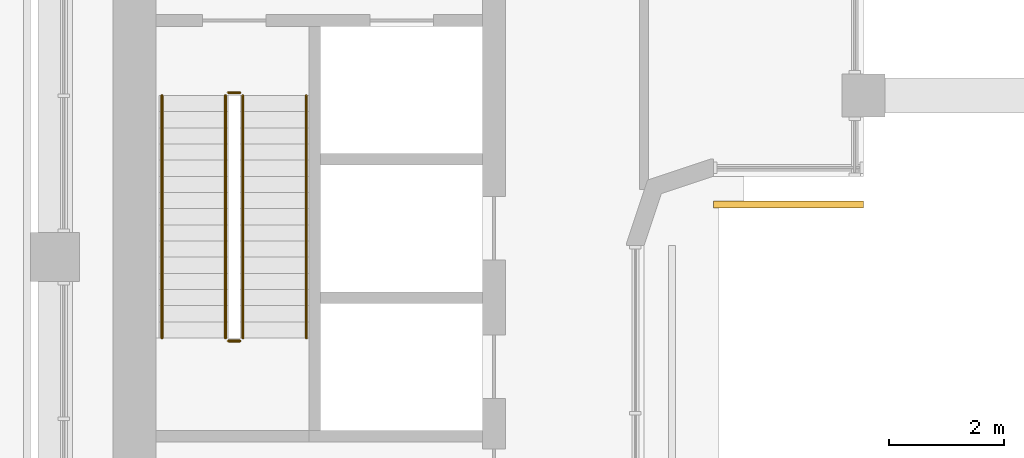
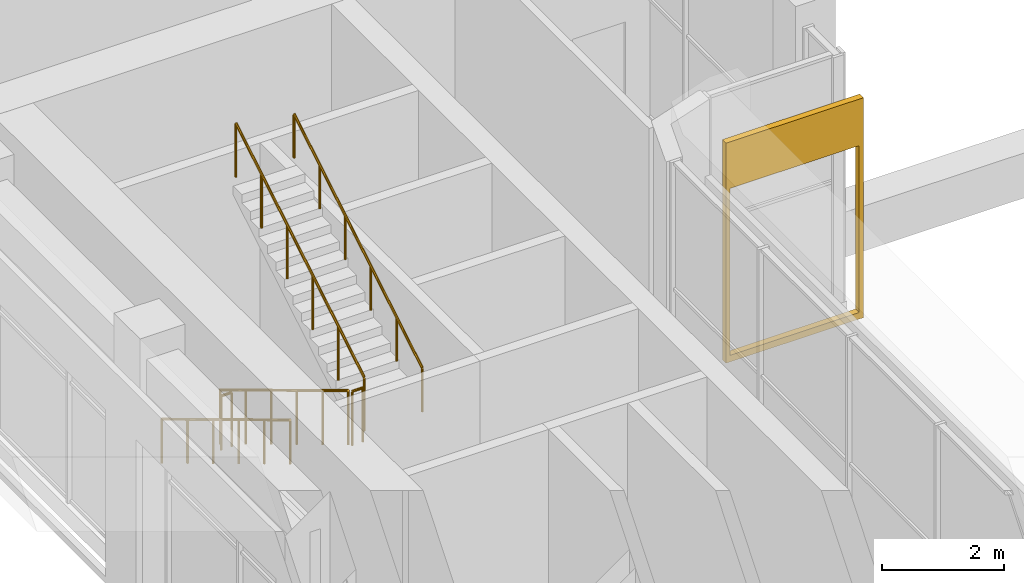
# One storey, part 22 of 26: 6 railings, 1 covering.
"""IFC4 building model written with IfcOpenShell, lengths in metres."""

from ifc_helpers import new_model, si_unit, direction, frame, origin, origin_2d, place, context, subcontext, project, spatial, polyline, circle, outline, extrude, material, layer, layer_set, type_object, element, save


model = new_model("IFC4")

# Units and contexts
model_context = context("Model", 3, precision=1e-05, world=origin(), true_north=direction((0.0, 1.0)))
body_context = subcontext(model_context, "Body", "Model", "MODEL_VIEW")
ifc_project = project(units=[si_unit("LENGTHUNIT", "METRE"), si_unit("AREAUNIT", "SQUARE_METRE"), si_unit("VOLUMEUNIT", "CUBIC_METRE"), si_unit("PLANEANGLEUNIT", "RADIAN"), si_unit("MASSUNIT", "GRAM", prefix="KILO")], contexts=[model_context])

# Site, building, storey
site_placement = place(None, origin())
site = spatial("IfcSite", under=ifc_project, at=site_placement, CompositionType="ELEMENT")
building_placement = place(site_placement, origin())
building = spatial("IfcBuilding", under=site, at=building_placement, Name="Kiln Ring Residences", CompositionType="ELEMENT")
storey_placement = place(building_placement, frame((0.0, 0.0, 230.89990234375)))
storey = spatial("IfcBuildingStorey", under=building, at=storey_placement, Name="L60", CompositionType="ELEMENT", Elevation=230.89990234375)

# Railings
ifc_material_1 = material(Name="Stainless steel", Category="steel")
railing_type_1 = type_object("IfcRailingType", Name="CORE-STAIR-GUARD", PredefinedType="GUARDRAIL", material=ifc_material_1)
railing_1_placement = place(storey_placement, frame((-22.25, 8.39990234375, 0.1689453125)))
element("IfcRailing", 1, at=railing_1_placement, inside=storey, type_object=railing_type_1, Name="L60 W-STN stair guard 1", PredefinedType="GUARDRAIL", context=body_context, shape_type="SweptSolid", body=[
    extrude(circle(Radius=0.02392578125, at=origin_2d()), frame((0.0, 0.0, 1.076171875), z_axis=(0.0, -0.856476492594, 0.516186030065), x_axis=(1.0, 0.0, 0.0)), (0.0, 0.0, 1.0), 4.90380859375),
    extrude(circle(Radius=0.02099609375, at=origin_2d()), origin(), (0.0, 0.0, 1.0), 1.052001953125),
    extrude(circle(Radius=0.02099609375, at=origin_2d()), frame((0.0, -0.840087890625, 0.50634765625)), (0.0, 0.0, 1.0), 1.052001953125),
    extrude(circle(Radius=0.02099609375, at=origin_2d()), frame((0.0, -1.679931640625, 1.012451171875)), (0.0, 0.0, 1.0), 1.052001953125),
    extrude(circle(Radius=0.02099609375, at=origin_2d()), frame((0.0, -2.52001953125, 1.518798828125)), (0.0, 0.0, 1.0), 1.052001953125),
    extrude(circle(Radius=0.02099609375, at=origin_2d()), frame((0.0, -3.35986328125, 2.02490234375)), (0.0, 0.0, 1.0), 1.052001953125),
    extrude(circle(Radius=0.02099609375, at=origin_2d()), frame((0.0, -4.199951171875, 2.53125)), (0.0, 0.0, 1.0), 1.052001953125),
])
railing_2_placement = place(storey_placement, frame((-22.199951171875, 4.14990234375, 2.7001953125)))
element("IfcRailing", 2, at=railing_2_placement, inside=storey, type_object=railing_type_1, Name="L60 W-STN stair guard 2", PredefinedType="GUARDRAIL", context=body_context, shape_type="SweptSolid", body=[
    extrude(circle(Radius=0.02392578125, at=origin_2d()), frame((0.0, 0.0, 1.076171875), z_axis=(1.0, 0.0, 0.0), x_axis=(0.0, 1.0, 0.0)), (0.0, 0.0, 1.0), 0.199951171875),
    extrude(circle(Radius=0.02099609375, at=origin_2d()), origin(), (0.0, 0.0, 1.0), 1.052001953125),
    extrude(circle(Radius=0.02099609375, at=origin_2d()), frame((0.199951171875, 0.0, 0.0)), (0.0, 0.0, 1.0), 1.052001953125),
])
railing_3_placement = place(storey_placement, frame((-21.949951171875, 4.199951171875, 2.868896484375)))
element("IfcRailing", 3, at=railing_3_placement, inside=storey, type_object=railing_type_1, Name="L60 W-STN stair guard 3", PredefinedType="GUARDRAIL", context=body_context, shape_type="SweptSolid", body=[
    extrude(circle(Radius=0.02392578125, at=origin_2d()), frame((0.0, 0.0, 1.076171875), z_axis=(0.0, 0.856476492594, 0.516186030065), x_axis=(-1.0, 0.0, 0.0)), (0.0, 0.0, 1.0), 4.90380859375),
    extrude(circle(Radius=0.02099609375, at=origin_2d()), origin(), (0.0, 0.0, 1.0), 1.052001953125),
    extrude(circle(Radius=0.02099609375, at=origin_2d()), frame((0.0, 0.840087890625, 0.50634765625)), (0.0, 0.0, 1.0), 1.052001953125),
    extrude(circle(Radius=0.02099609375, at=origin_2d()), frame((0.0, 1.679931640625, 1.012451171875)), (0.0, 0.0, 1.0), 1.052001953125),
    extrude(circle(Radius=0.02099609375, at=origin_2d()), frame((0.0, 2.52001953125, 1.518798828125)), (0.0, 0.0, 1.0), 1.052001953125),
    extrude(circle(Radius=0.02099609375, at=origin_2d()), frame((0.0, 3.35986328125, 2.02490234375)), (0.0, 0.0, 1.0), 1.052001953125),
    extrude(circle(Radius=0.02099609375, at=origin_2d()), frame((0.0, 4.199951171875, 2.53125)), (0.0, 0.0, 1.0), 1.052001953125),
])
railing_4_placement = place(storey_placement, frame((-22.199951171875, 8.449951171875, 0.0)))
element("IfcRailing", 4, at=railing_4_placement, inside=storey, type_object=railing_type_1, Name="L60 W-STN stair guard 4", PredefinedType="GUARDRAIL", context=body_context, shape_type="SweptSolid", body=[
    extrude(circle(Radius=0.02392578125, at=origin_2d()), frame((0.0, 0.0, 1.076171875), z_axis=(1.0, 0.0, 0.0), x_axis=(0.0, 1.0, 0.0)), (0.0, 0.0, 1.0), 0.199951171875),
    extrude(circle(Radius=0.02099609375, at=origin_2d()), origin(), (0.0, 0.0, 1.0), 1.052001953125),
    extrude(circle(Radius=0.02099609375, at=origin_2d()), frame((0.199951171875, 0.0, 0.0)), (0.0, 0.0, 1.0), 1.052001953125),
])
ifc_material_2 = material(Name="Stainless steel", Category="steel")
railing_type_2 = type_object("IfcRailingType", Name="CORE-STAIR-HANDRAIL", PredefinedType="HANDRAIL", material=ifc_material_2)
railing_5_placement = place(storey_placement, frame((-23.35009765625, 8.39990234375, 0.1689453125)))
element("IfcRailing", 5, at=railing_5_placement, inside=storey, type_object=railing_type_2, Name="L60 W-STN stair handrail 1", PredefinedType="HANDRAIL", context=body_context, shape_type="SweptSolid", body=[
    extrude(circle(Radius=0.02392578125, at=origin_2d()), frame((0.0, 0.0, 0.8759765625), z_axis=(0.0, -0.856476492594, 0.516186030065), x_axis=(1.0, 0.0, 0.0)), (0.0, 0.0, 1.0), 4.90380859375),
    extrude(circle(Radius=0.02099609375, at=origin_2d()), origin(), (0.0, 0.0, 1.0), 0.851806640625),
    extrude(circle(Radius=0.02099609375, at=origin_2d()), frame((0.0, -0.840087890625, 0.50634765625)), (0.0, 0.0, 1.0), 0.851806640625),
    extrude(circle(Radius=0.02099609375, at=origin_2d()), frame((0.0, -1.679931640625, 1.012451171875)), (0.0, 0.0, 1.0), 0.851806640625),
    extrude(circle(Radius=0.02099609375, at=origin_2d()), frame((0.0, -2.52001953125, 1.518798828125)), (0.0, 0.0, 1.0), 0.851806640625),
    extrude(circle(Radius=0.02099609375, at=origin_2d()), frame((0.0, -3.35986328125, 2.02490234375)), (0.0, 0.0, 1.0), 0.851806640625),
    extrude(circle(Radius=0.02099609375, at=origin_2d()), frame((0.0, -4.199951171875, 2.53125)), (0.0, 0.0, 1.0), 0.851806640625),
])
railing_6_placement = place(storey_placement, frame((-20.85009765625, 4.199951171875, 2.868896484375)))
element("IfcRailing", 6, at=railing_6_placement, inside=storey, type_object=railing_type_2, Name="L60 W-STN stair handrail 2", PredefinedType="HANDRAIL", context=body_context, shape_type="SweptSolid", body=[
    extrude(circle(Radius=0.02392578125, at=origin_2d()), frame((0.0, 0.0, 0.8759765625), z_axis=(0.0, 0.856476492594, 0.516186030065), x_axis=(-1.0, 0.0, 0.0)), (0.0, 0.0, 1.0), 4.90380859375),
    extrude(circle(Radius=0.02099609375, at=origin_2d()), origin(), (0.0, 0.0, 1.0), 0.851806640625),
    extrude(circle(Radius=0.02099609375, at=origin_2d()), frame((0.0, 0.840087890625, 0.50634765625)), (0.0, 0.0, 1.0), 0.851806640625),
    extrude(circle(Radius=0.02099609375, at=origin_2d()), frame((0.0, 1.679931640625, 1.012451171875)), (0.0, 0.0, 1.0), 0.851806640625),
    extrude(circle(Radius=0.02099609375, at=origin_2d()), frame((0.0, 2.52001953125, 1.518798828125)), (0.0, 0.0, 1.0), 0.851806640625),
    extrude(circle(Radius=0.02099609375, at=origin_2d()), frame((0.0, 3.35986328125, 2.02490234375)), (0.0, 0.0, 1.0), 0.851806640625),
    extrude(circle(Radius=0.02099609375, at=origin_2d()), frame((0.0, 4.199951171875, 2.53125)), (0.0, 0.0, 1.0), 0.851806640625),
])

# Covering
ifc_material_3 = material(Name="Brick masonry, dark clay brick", Category="masonry")
ifc_layer = layer(ifc_material_3, 0.1201171875)
ifc_layer_set = layer_set([ifc_layer], Name="RAINSCREEN PANEL 120")
covering_type = type_object("IfcCoveringType", Name="RAINSCREEN PANEL 120", PredefinedType="CLADDING", material=ifc_layer_set)
covering_placement = place(storey_placement, frame((-13.800048828125, 6.514892578125, 0.0), z_axis=(0.0, 0.0, 1.0), x_axis=(1.0, 0.0, 0.0)))
element("IfcCovering", 7, at=covering_placement, inside=storey, type_object=covering_type, Name="RAINSCREEN L60", PredefinedType="CLADDING", context=body_context, shape_type="SweptSolid", body=[
    extrude(outline(polyline([(0.0, 0.0), (2.60009765625, 0.0), (2.60009765625, 4.400146484375), (0.0, 4.400146484375), (0.0, 0.0)]), holes=[polyline([(0.080078125, 3.47021484375), (0.080078125, 0.130126953125), (2.52001953125, 0.130126953125), (2.52001953125, 3.47021484375), (0.080078125, 3.47021484375)])]), frame((0.0, 0.06005859375, 0.0), z_axis=(0.0, -1.0, 0.0), x_axis=(1.0, 0.0, 0.0)), (0.0, 0.0, 1.0), 0.1201171875),
])

save(model, "model.ifc")
